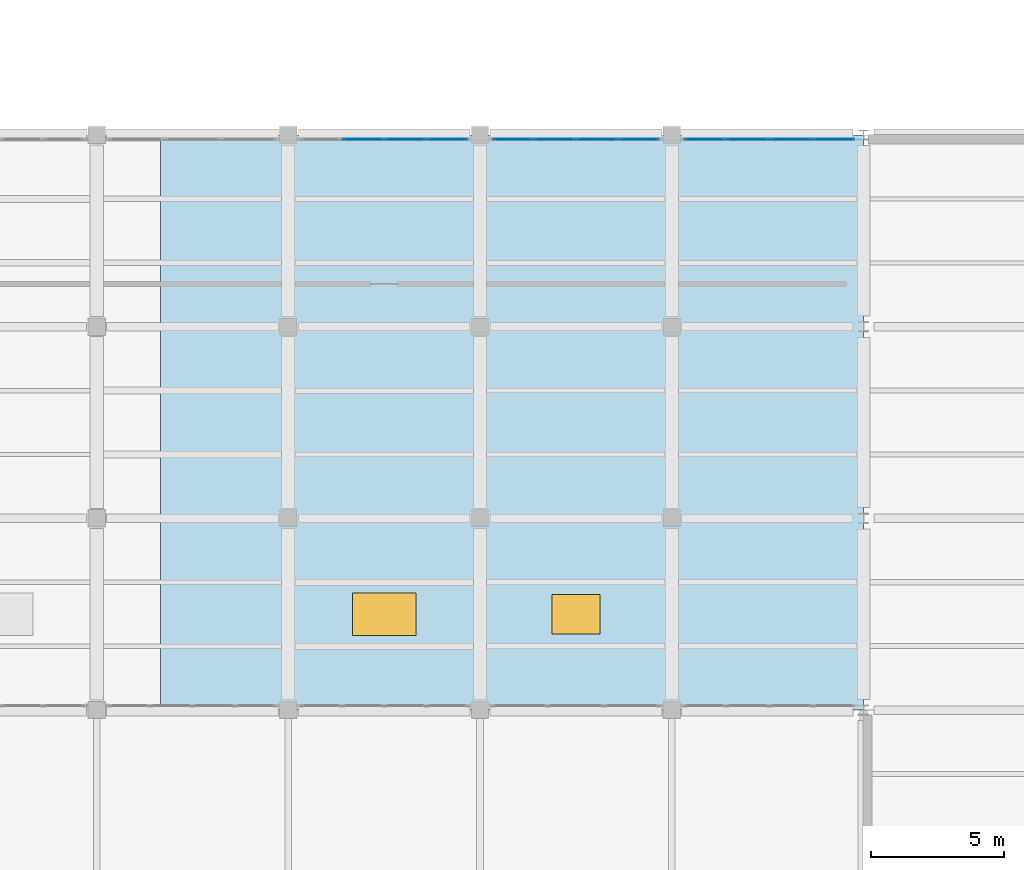
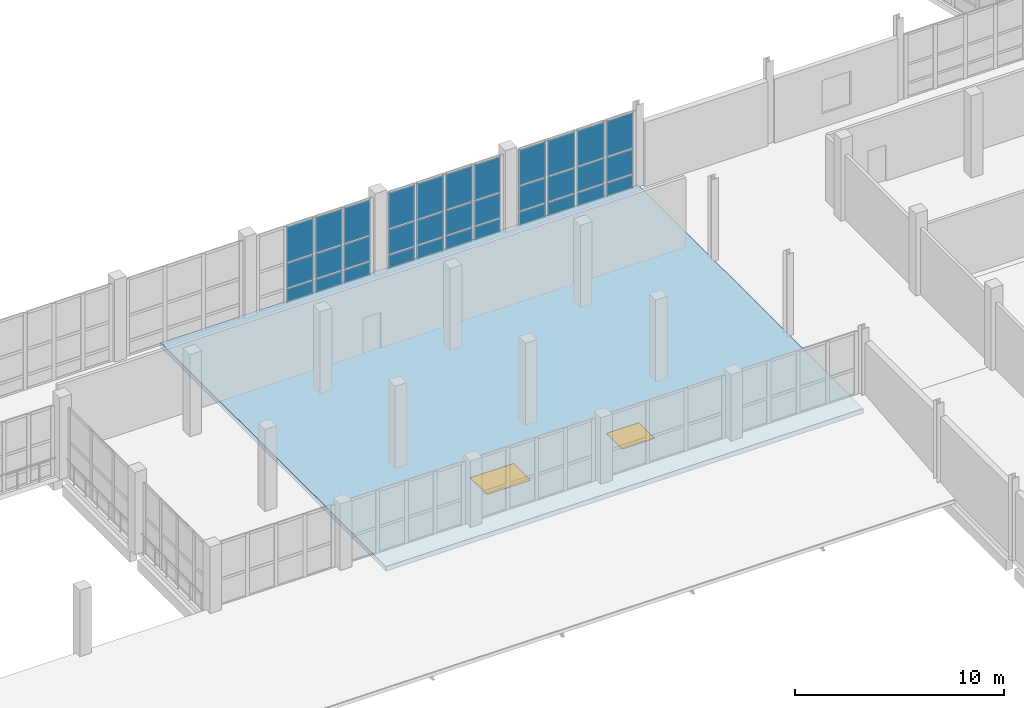
# One storey, part 82 of 127: 33 plates, 2 windows, 1 slab, 2 openings, 3 elements without a shape of their own.
"""IFC4 building model written with IfcOpenShell, lengths in metres."""

from ifc_helpers import new_model, si_unit, direction, frame, origin, origin_2d, place, context, subcontext, project, spatial, polyline, rectangle, outline, extrude, material, layer, layer_set, type_object, element, fill, aggregate, save


model = new_model("IFC4")

# Units and contexts
model_context = context("Model", 3, precision=1e-05, world=origin(), true_north=direction((0.0, 1.0)))
body_context = subcontext(model_context, "Body", "Model", "MODEL_VIEW")
ifc_project = project(units=[si_unit("LENGTHUNIT", "METRE"), si_unit("AREAUNIT", "SQUARE_METRE"), si_unit("VOLUMEUNIT", "CUBIC_METRE"), si_unit("PLANEANGLEUNIT", "RADIAN"), si_unit("MASSUNIT", "GRAM", prefix="KILO")], contexts=[model_context])

# Site, building, storey
site_placement = place(None, origin())
site = spatial("IfcSite", under=ifc_project, at=site_placement, CompositionType="ELEMENT")
building_placement = place(site_placement, origin())
building = spatial("IfcBuilding", under=site, at=building_placement, Name="Kalmorath City Hall", CompositionType="ELEMENT")
storey_placement = place(building_placement, frame((0.0, 0.0, 5.39990234375)))
storey = spatial("IfcBuildingStorey", under=building, at=storey_placement, Name="L01", CompositionType="ELEMENT", Elevation=5.39990234375)

# Slab, openings, windows
ifc_material_1 = material(Name="Concrete C40/50", Category="concrete")
ifc_layer_1 = layer(ifc_material_1, 0.280029296875)
ifc_layer_set_1 = layer_set([ifc_layer_1], Name="Concrete C40/50")
slab_type = type_object("IfcSlabType", Name="Concrete composite floor slab 280", PredefinedType="FLOOR", material=ifc_layer_set_1)
slab_placement = place(storey_placement, frame((0.0, 0.0, -0.27978515625)))
slab = element("IfcSlab", 1, at=slab_placement, inside=storey, type_object=slab_type, Name="L01 Public Hall and Citizens Service Centre Pavilion slab FS2-3", PredefinedType="FLOOR", context=body_context, shape_type="SweptSolid", body=[
    extrude(outline(polyline([(115.199951171875, 43.199951171875), (115.199951171875, 21.60009765625), (88.800048828125, 21.60009765625), (88.800048828125, 43.199951171875), (115.199951171875, 43.199951171875)])), origin(), (0.0, 0.0, 1.0), 0.27978515625),
])
opening_1_placement = place(slab_placement, frame((97.199951171875, 25.199951171875, 0.0)))
opening_1 = element("IfcOpeningElement", 2, at=opening_1_placement, cuts=slab, Name="Opening SK1", PredefinedType="OPENING", context=body_context, shape_type="SweptSolid", body=[
    extrude(rectangle(XDim=2.39990234375, YDim=1.60009765625, at=origin_2d()), origin(), (0.0, 0.0, 1.0), 0.27978515625),
])
opening_2_placement = place(slab_placement, frame((104.39990234375, 25.199951171875, 0.0)))
opening_2 = element("IfcOpeningElement", 3, at=opening_2_placement, cuts=slab, Name="Opening SK3", PredefinedType="OPENING", context=body_context, shape_type="SweptSolid", body=[
    extrude(rectangle(XDim=1.800048828125, YDim=1.5, at=origin_2d()), origin(), (0.0, 0.0, 1.0), 0.27978515625),
])
ifc_material_2 = material(Name="Aluminium and laminated glass", Category="aluminium")
window_type_1 = type_object("IfcWindowType", Name="Committee hall roof skylight 1800x1500", PartitioningType="SINGLE_PANEL", PredefinedType="SKYLIGHT", material=ifc_material_2)
window_1_placement = place(opening_2_placement, frame((0.0, 0.0, 0.229736328125)))
window_1 = element("IfcWindow", 4, at=window_1_placement, inside=storey, type_object=window_type_1, Name="L01 skylight SK3-3", OverallHeight=1.5, OverallWidth=1.800048828125, PartitioningType="SINGLE_PANEL", PredefinedType="SKYLIGHT", context=body_context, shape_type="SweptSolid", body=[
    extrude(rectangle(XDim=1.800048828125, YDim=1.5, at=origin_2d()), origin(), (0.0, 0.0, 1.0), 0.050048828125),
])
fill(opening_2, window_1)
ifc_material_3 = material(Name="Aluminium and laminated glass", Category="aluminium")
window_type_2 = type_object("IfcWindowType", Name="Hurricane laminated roof skylight 2400x1600", PartitioningType="SINGLE_PANEL", PredefinedType="SKYLIGHT", material=ifc_material_3)
window_2_placement = place(opening_1_placement, frame((0.0, 0.0, 0.229736328125)))
window_2 = element("IfcWindow", 5, at=window_2_placement, inside=storey, type_object=window_type_2, Name="L01 skylight SK1-2", OverallHeight=1.60009765625, OverallWidth=2.39990234375, PartitioningType="SINGLE_PANEL", PredefinedType="SKYLIGHT", context=body_context, shape_type="SweptSolid", body=[
    extrude(rectangle(XDim=2.39990234375, YDim=1.60009765625, at=origin_2d()), origin(), (0.0, 0.0, 1.0), 0.050048828125),
])
fill(opening_1, window_2)

# Curtain wall, plates
ifc_material_4 = material(Name="Anodised aluminium and laminated glass", Category="aluminium")
curtain_wall_type_1 = type_object("IfcCurtainWallType", Name="Unitised hurricane curtain wall 6370x4520 M1500", PredefinedType="NOTDEFINED", material=ifc_material_4)
curtain_wall_1_placement = place(storey_placement, origin())
curtain_wall_1 = element("IfcCurtainWall", 6, at=curtain_wall_1_placement, inside=storey, type_object=curtain_wall_type_1, Name="L01 curtain wall CW-64X45M15 #90", PredefinedType="NOTDEFINED")
ifc_material_5 = material(Name="Hurricane laminated low-E glass", Category="glass")
ifc_layer_2 = layer(ifc_material_5, 0.031982421875)
ifc_layer_set_2 = layer_set([ifc_layer_2], Name="Hurricane laminated low-E glass")
plate_type = type_object("IfcPlateType", Name="Hurricane impact double-glazed panel 32", PredefinedType="CURTAIN_PANEL", material=ifc_layer_set_2)
plate_1_placement = place(storey_placement, frame((96.40380859375, 43.0400390625, 0.065185546875), z_axis=(0.0, 0.0, 1.0), x_axis=(1.0, 0.0, 0.0)))
plate_1 = element("IfcPlate", 7, at=plate_1_placement, type_object=plate_type, Name="CW-64X45M15 panel 2.1", PredefinedType="CURTAIN_PANEL", context=body_context, shape_type="SweptSolid", body=[
    extrude(rectangle(XDim=1.517578125, YDim=0.031982421875, at=origin_2d()), origin(), (0.0, 0.0, 1.0), 0.75244140625),
])
plate_2_placement = place(storey_placement, frame((96.40380859375, 43.0400390625, 0.882568359375), z_axis=(0.0, 0.0, 1.0), x_axis=(1.0, 0.0, 0.0)))
plate_2 = element("IfcPlate", 8, at=plate_2_placement, type_object=plate_type, Name="CW-64X45M15 panel 2.2", PredefinedType="CURTAIN_PANEL", context=body_context, shape_type="SweptSolid", body=[
    extrude(rectangle(XDim=1.517578125, YDim=0.031982421875, at=origin_2d()), origin(), (0.0, 0.0, 1.0), 1.43505859375),
])
plate_3_placement = place(storey_placement, frame((96.40380859375, 43.0400390625, 2.3828125), z_axis=(0.0, 0.0, 1.0), x_axis=(1.0, 0.0, 0.0)))
plate_3 = element("IfcPlate", 9, at=plate_3_placement, type_object=plate_type, Name="CW-64X45M15 panel 2.3", PredefinedType="CURTAIN_PANEL", context=body_context, shape_type="SweptSolid", body=[
    extrude(rectangle(XDim=1.517578125, YDim=0.031982421875, at=origin_2d()), origin(), (0.0, 0.0, 1.0), 2.072509765625),
])
plate_4_placement = place(storey_placement, frame((97.996337890625, 43.0400390625, 0.065185546875), z_axis=(0.0, 0.0, 1.0), x_axis=(1.0, 0.0, 0.0)))
plate_4 = element("IfcPlate", 10, at=plate_4_placement, type_object=plate_type, Name="CW-64X45M15 panel 3.1", PredefinedType="CURTAIN_PANEL", context=body_context, shape_type="SweptSolid", body=[
    extrude(rectangle(XDim=1.517578125, YDim=0.031982421875, at=origin_2d()), origin(), (0.0, 0.0, 1.0), 0.75244140625),
])
plate_5_placement = place(storey_placement, frame((97.996337890625, 43.0400390625, 0.882568359375), z_axis=(0.0, 0.0, 1.0), x_axis=(1.0, 0.0, 0.0)))
plate_5 = element("IfcPlate", 11, at=plate_5_placement, type_object=plate_type, Name="CW-64X45M15 panel 3.2", PredefinedType="CURTAIN_PANEL", context=body_context, shape_type="SweptSolid", body=[
    extrude(rectangle(XDim=1.517578125, YDim=0.031982421875, at=origin_2d()), origin(), (0.0, 0.0, 1.0), 1.43505859375),
])
plate_6_placement = place(storey_placement, frame((97.996337890625, 43.0400390625, 2.3828125), z_axis=(0.0, 0.0, 1.0), x_axis=(1.0, 0.0, 0.0)))
plate_6 = element("IfcPlate", 12, at=plate_6_placement, type_object=plate_type, Name="CW-64X45M15 panel 3.3", PredefinedType="CURTAIN_PANEL", context=body_context, shape_type="SweptSolid", body=[
    extrude(rectangle(XDim=1.517578125, YDim=0.031982421875, at=origin_2d()), origin(), (0.0, 0.0, 1.0), 2.072509765625),
])
plate_7_placement = place(storey_placement, frame((99.570068359375, 43.0400390625, 0.065185546875), z_axis=(0.0, 0.0, 1.0), x_axis=(1.0, 0.0, 0.0)))
plate_7 = element("IfcPlate", 13, at=plate_7_placement, type_object=plate_type, Name="CW-64X45M15 panel 4.1", PredefinedType="CURTAIN_PANEL", context=body_context, shape_type="SweptSolid", body=[
    extrude(rectangle(XDim=1.47998046875, YDim=0.031982421875, at=origin_2d()), origin(), (0.0, 0.0, 1.0), 0.75244140625),
])
plate_8_placement = place(storey_placement, frame((99.570068359375, 43.0400390625, 0.882568359375), z_axis=(0.0, 0.0, 1.0), x_axis=(1.0, 0.0, 0.0)))
plate_8 = element("IfcPlate", 14, at=plate_8_placement, type_object=plate_type, Name="CW-64X45M15 panel 4.2", PredefinedType="CURTAIN_PANEL", context=body_context, shape_type="SweptSolid", body=[
    extrude(rectangle(XDim=1.47998046875, YDim=0.031982421875, at=origin_2d()), origin(), (0.0, 0.0, 1.0), 1.43505859375),
])
plate_9_placement = place(storey_placement, frame((99.570068359375, 43.0400390625, 2.3828125), z_axis=(0.0, 0.0, 1.0), x_axis=(1.0, 0.0, 0.0)))
plate_9 = element("IfcPlate", 15, at=plate_9_placement, type_object=plate_type, Name="CW-64X45M15 panel 4.3", PredefinedType="CURTAIN_PANEL", context=body_context, shape_type="SweptSolid", body=[
    extrude(rectangle(XDim=1.47998046875, YDim=0.031982421875, at=origin_2d()), origin(), (0.0, 0.0, 1.0), 2.072509765625),
])
aggregate(curtain_wall_1, [plate_1, plate_2, plate_3, plate_4, plate_5, plate_6, plate_7, plate_8, plate_9])

ifc_material_6 = material(Name="Anodised aluminium and laminated glass", Category="aluminium")
curtain_wall_type_2 = type_object("IfcCurtainWallType", Name="Unitised hurricane curtain wall 6370x4520 M1800", PredefinedType="NOTDEFINED", material=ifc_material_6)
curtain_wall_2_placement = place(storey_placement, origin())
curtain_wall_2 = element("IfcCurtainWall", 16, at=curtain_wall_2_placement, inside=storey, type_object=curtain_wall_type_2, Name="L01 curtain wall CW-64X45M18 #91", PredefinedType="NOTDEFINED")
plate_10_placement = place(storey_placement, frame((102.030029296875, 43.0400390625, 0.065185546875), z_axis=(0.0, 0.0, 1.0), x_axis=(1.0, 0.0, 0.0)))
plate_10 = element("IfcPlate", 17, at=plate_10_placement, type_object=plate_type, Name="CW-64X45M18 panel 1.1", PredefinedType="CURTAIN_PANEL", context=body_context, shape_type="SweptSolid", body=[
    extrude(rectangle(XDim=1.47998046875, YDim=0.031982421875, at=origin_2d()), origin(), (0.0, 0.0, 1.0), 0.75244140625),
])
plate_11_placement = place(storey_placement, frame((102.030029296875, 43.0400390625, 0.882568359375), z_axis=(0.0, 0.0, 1.0), x_axis=(1.0, 0.0, 0.0)))
plate_11 = element("IfcPlate", 18, at=plate_11_placement, type_object=plate_type, Name="CW-64X45M18 panel 1.2", PredefinedType="CURTAIN_PANEL", context=body_context, shape_type="SweptSolid", body=[
    extrude(rectangle(XDim=1.47998046875, YDim=0.031982421875, at=origin_2d()), origin(), (0.0, 0.0, 1.0), 1.43505859375),
])
plate_12_placement = place(storey_placement, frame((102.030029296875, 43.0400390625, 2.3828125), z_axis=(0.0, 0.0, 1.0), x_axis=(1.0, 0.0, 0.0)))
plate_12 = element("IfcPlate", 19, at=plate_12_placement, type_object=plate_type, Name="CW-64X45M18 panel 1.3", PredefinedType="CURTAIN_PANEL", context=body_context, shape_type="SweptSolid", body=[
    extrude(rectangle(XDim=1.47998046875, YDim=0.031982421875, at=origin_2d()), origin(), (0.0, 0.0, 1.0), 2.072509765625),
])
plate_13_placement = place(storey_placement, frame((103.603759765625, 43.0400390625, 0.065185546875), z_axis=(0.0, 0.0, 1.0), x_axis=(1.0, 0.0, 0.0)))
plate_13 = element("IfcPlate", 20, at=plate_13_placement, type_object=plate_type, Name="CW-64X45M18 panel 2.1", PredefinedType="CURTAIN_PANEL", context=body_context, shape_type="SweptSolid", body=[
    extrude(rectangle(XDim=1.517578125, YDim=0.031982421875, at=origin_2d()), origin(), (0.0, 0.0, 1.0), 0.75244140625),
])
plate_14_placement = place(storey_placement, frame((103.603759765625, 43.0400390625, 0.882568359375), z_axis=(0.0, 0.0, 1.0), x_axis=(1.0, 0.0, 0.0)))
plate_14 = element("IfcPlate", 21, at=plate_14_placement, type_object=plate_type, Name="CW-64X45M18 panel 2.2", PredefinedType="CURTAIN_PANEL", context=body_context, shape_type="SweptSolid", body=[
    extrude(rectangle(XDim=1.517578125, YDim=0.031982421875, at=origin_2d()), origin(), (0.0, 0.0, 1.0), 1.43505859375),
])
plate_15_placement = place(storey_placement, frame((103.603759765625, 43.0400390625, 2.3828125), z_axis=(0.0, 0.0, 1.0), x_axis=(1.0, 0.0, 0.0)))
plate_15 = element("IfcPlate", 22, at=plate_15_placement, type_object=plate_type, Name="CW-64X45M18 panel 2.3", PredefinedType="CURTAIN_PANEL", context=body_context, shape_type="SweptSolid", body=[
    extrude(rectangle(XDim=1.517578125, YDim=0.031982421875, at=origin_2d()), origin(), (0.0, 0.0, 1.0), 2.072509765625),
])
plate_16_placement = place(storey_placement, frame((105.1962890625, 43.0400390625, 0.065185546875), z_axis=(0.0, 0.0, 1.0), x_axis=(1.0, 0.0, 0.0)))
plate_16 = element("IfcPlate", 23, at=plate_16_placement, type_object=plate_type, Name="CW-64X45M18 panel 3.1", PredefinedType="CURTAIN_PANEL", context=body_context, shape_type="SweptSolid", body=[
    extrude(rectangle(XDim=1.517578125, YDim=0.031982421875, at=origin_2d()), origin(), (0.0, 0.0, 1.0), 0.75244140625),
])
plate_17_placement = place(storey_placement, frame((105.1962890625, 43.0400390625, 0.882568359375), z_axis=(0.0, 0.0, 1.0), x_axis=(1.0, 0.0, 0.0)))
plate_17 = element("IfcPlate", 24, at=plate_17_placement, type_object=plate_type, Name="CW-64X45M18 panel 3.2", PredefinedType="CURTAIN_PANEL", context=body_context, shape_type="SweptSolid", body=[
    extrude(rectangle(XDim=1.517578125, YDim=0.031982421875, at=origin_2d()), origin(), (0.0, 0.0, 1.0), 1.43505859375),
])
plate_18_placement = place(storey_placement, frame((105.1962890625, 43.0400390625, 2.3828125), z_axis=(0.0, 0.0, 1.0), x_axis=(1.0, 0.0, 0.0)))
plate_18 = element("IfcPlate", 25, at=plate_18_placement, type_object=plate_type, Name="CW-64X45M18 panel 3.3", PredefinedType="CURTAIN_PANEL", context=body_context, shape_type="SweptSolid", body=[
    extrude(rectangle(XDim=1.517578125, YDim=0.031982421875, at=origin_2d()), origin(), (0.0, 0.0, 1.0), 2.072509765625),
])
plate_19_placement = place(storey_placement, frame((106.77001953125, 43.0400390625, 0.065185546875), z_axis=(0.0, 0.0, 1.0), x_axis=(1.0, 0.0, 0.0)))
plate_19 = element("IfcPlate", 26, at=plate_19_placement, type_object=plate_type, Name="CW-64X45M18 panel 4.1", PredefinedType="CURTAIN_PANEL", context=body_context, shape_type="SweptSolid", body=[
    extrude(rectangle(XDim=1.47998046875, YDim=0.031982421875, at=origin_2d()), origin(), (0.0, 0.0, 1.0), 0.75244140625),
])
plate_20_placement = place(storey_placement, frame((106.77001953125, 43.0400390625, 0.882568359375), z_axis=(0.0, 0.0, 1.0), x_axis=(1.0, 0.0, 0.0)))
plate_20 = element("IfcPlate", 27, at=plate_20_placement, type_object=plate_type, Name="CW-64X45M18 panel 4.2", PredefinedType="CURTAIN_PANEL", context=body_context, shape_type="SweptSolid", body=[
    extrude(rectangle(XDim=1.47998046875, YDim=0.031982421875, at=origin_2d()), origin(), (0.0, 0.0, 1.0), 1.43505859375),
])
plate_21_placement = place(storey_placement, frame((106.77001953125, 43.0400390625, 2.3828125), z_axis=(0.0, 0.0, 1.0), x_axis=(1.0, 0.0, 0.0)))
plate_21 = element("IfcPlate", 28, at=plate_21_placement, type_object=plate_type, Name="CW-64X45M18 panel 4.3", PredefinedType="CURTAIN_PANEL", context=body_context, shape_type="SweptSolid", body=[
    extrude(rectangle(XDim=1.47998046875, YDim=0.031982421875, at=origin_2d()), origin(), (0.0, 0.0, 1.0), 2.072509765625),
])
aggregate(curtain_wall_2, [plate_10, plate_11, plate_12, plate_13, plate_14, plate_15, plate_16, plate_17, plate_18, plate_19, plate_20, plate_21])

ifc_material_7 = material(Name="Anodised aluminium and laminated glass", Category="aluminium")
curtain_wall_type_3 = type_object("IfcCurtainWallType", Name="Unitised hurricane curtain wall 6508x4520 M1500", PredefinedType="NOTDEFINED", material=ifc_material_7)
curtain_wall_3_placement = place(storey_placement, origin())
curtain_wall_3 = element("IfcCurtainWall", 29, at=curtain_wall_3_placement, inside=storey, type_object=curtain_wall_type_3, Name="L01 curtain wall CW-65X45M15 #92", PredefinedType="NOTDEFINED")
plate_22_placement = place(storey_placement, frame((109.247314453125, 43.0400390625, 0.065185546875), z_axis=(0.0, 0.0, 1.0), x_axis=(1.0, 0.0, 0.0)))
plate_22 = element("IfcPlate", 30, at=plate_22_placement, type_object=plate_type, Name="CW-65X45M15 panel 1.1", PredefinedType="CURTAIN_PANEL", context=body_context, shape_type="SweptSolid", body=[
    extrude(rectangle(XDim=1.514404296875, YDim=0.031982421875, at=origin_2d()), origin(), (0.0, 0.0, 1.0), 0.75244140625),
])
plate_23_placement = place(storey_placement, frame((109.247314453125, 43.0400390625, 0.882568359375), z_axis=(0.0, 0.0, 1.0), x_axis=(1.0, 0.0, 0.0)))
plate_23 = element("IfcPlate", 31, at=plate_23_placement, type_object=plate_type, Name="CW-65X45M15 panel 1.2", PredefinedType="CURTAIN_PANEL", context=body_context, shape_type="SweptSolid", body=[
    extrude(rectangle(XDim=1.514404296875, YDim=0.031982421875, at=origin_2d()), origin(), (0.0, 0.0, 1.0), 1.43505859375),
])
plate_24_placement = place(storey_placement, frame((109.247314453125, 43.0400390625, 2.3828125), z_axis=(0.0, 0.0, 1.0), x_axis=(1.0, 0.0, 0.0)))
plate_24 = element("IfcPlate", 32, at=plate_24_placement, type_object=plate_type, Name="CW-65X45M15 panel 1.3", PredefinedType="CURTAIN_PANEL", context=body_context, shape_type="SweptSolid", body=[
    extrude(rectangle(XDim=1.514404296875, YDim=0.031982421875, at=origin_2d()), origin(), (0.0, 0.0, 1.0), 2.072509765625),
])
plate_25_placement = place(storey_placement, frame((110.85546875, 43.0400390625, 0.065185546875), z_axis=(0.0, 0.0, 1.0), x_axis=(1.0, 0.0, 0.0)))
plate_25 = element("IfcPlate", 33, at=plate_25_placement, type_object=plate_type, Name="CW-65X45M15 panel 2.1", PredefinedType="CURTAIN_PANEL", context=body_context, shape_type="SweptSolid", body=[
    extrude(rectangle(XDim=1.552001953125, YDim=0.031982421875, at=origin_2d()), origin(), (0.0, 0.0, 1.0), 0.75244140625),
])
plate_26_placement = place(storey_placement, frame((110.85546875, 43.0400390625, 0.882568359375), z_axis=(0.0, 0.0, 1.0), x_axis=(1.0, 0.0, 0.0)))
plate_26 = element("IfcPlate", 34, at=plate_26_placement, type_object=plate_type, Name="CW-65X45M15 panel 2.2", PredefinedType="CURTAIN_PANEL", context=body_context, shape_type="SweptSolid", body=[
    extrude(rectangle(XDim=1.552001953125, YDim=0.031982421875, at=origin_2d()), origin(), (0.0, 0.0, 1.0), 1.43505859375),
])
plate_27_placement = place(storey_placement, frame((110.85546875, 43.0400390625, 2.3828125), z_axis=(0.0, 0.0, 1.0), x_axis=(1.0, 0.0, 0.0)))
plate_27 = element("IfcPlate", 35, at=plate_27_placement, type_object=plate_type, Name="CW-65X45M15 panel 2.3", PredefinedType="CURTAIN_PANEL", context=body_context, shape_type="SweptSolid", body=[
    extrude(rectangle(XDim=1.552001953125, YDim=0.031982421875, at=origin_2d()), origin(), (0.0, 0.0, 1.0), 2.072509765625),
])
plate_28_placement = place(storey_placement, frame((112.482421875, 43.0400390625, 0.065185546875), z_axis=(0.0, 0.0, 1.0), x_axis=(1.0, 0.0, 0.0)))
plate_28 = element("IfcPlate", 36, at=plate_28_placement, type_object=plate_type, Name="CW-65X45M15 panel 3.1", PredefinedType="CURTAIN_PANEL", context=body_context, shape_type="SweptSolid", body=[
    extrude(rectangle(XDim=1.552001953125, YDim=0.031982421875, at=origin_2d()), origin(), (0.0, 0.0, 1.0), 0.75244140625),
])
plate_29_placement = place(storey_placement, frame((112.482421875, 43.0400390625, 0.882568359375), z_axis=(0.0, 0.0, 1.0), x_axis=(1.0, 0.0, 0.0)))
plate_29 = element("IfcPlate", 37, at=plate_29_placement, type_object=plate_type, Name="CW-65X45M15 panel 3.2", PredefinedType="CURTAIN_PANEL", context=body_context, shape_type="SweptSolid", body=[
    extrude(rectangle(XDim=1.552001953125, YDim=0.031982421875, at=origin_2d()), origin(), (0.0, 0.0, 1.0), 1.43505859375),
])
plate_30_placement = place(storey_placement, frame((112.482421875, 43.0400390625, 2.3828125), z_axis=(0.0, 0.0, 1.0), x_axis=(1.0, 0.0, 0.0)))
plate_30 = element("IfcPlate", 38, at=plate_30_placement, type_object=plate_type, Name="CW-65X45M15 panel 3.3", PredefinedType="CURTAIN_PANEL", context=body_context, shape_type="SweptSolid", body=[
    extrude(rectangle(XDim=1.552001953125, YDim=0.031982421875, at=origin_2d()), origin(), (0.0, 0.0, 1.0), 2.072509765625),
])
plate_31_placement = place(storey_placement, frame((114.0908203125, 43.0400390625, 0.065185546875), z_axis=(0.0, 0.0, 1.0), x_axis=(1.0, 0.0, 0.0)))
plate_31 = element("IfcPlate", 39, at=plate_31_placement, type_object=plate_type, Name="CW-65X45M15 panel 4.1", PredefinedType="CURTAIN_PANEL", context=body_context, shape_type="SweptSolid", body=[
    extrude(rectangle(XDim=1.514404296875, YDim=0.031982421875, at=origin_2d()), origin(), (0.0, 0.0, 1.0), 0.75244140625),
])
plate_32_placement = place(storey_placement, frame((114.0908203125, 43.0400390625, 0.882568359375), z_axis=(0.0, 0.0, 1.0), x_axis=(1.0, 0.0, 0.0)))
plate_32 = element("IfcPlate", 40, at=plate_32_placement, type_object=plate_type, Name="CW-65X45M15 panel 4.2", PredefinedType="CURTAIN_PANEL", context=body_context, shape_type="SweptSolid", body=[
    extrude(rectangle(XDim=1.514404296875, YDim=0.031982421875, at=origin_2d()), origin(), (0.0, 0.0, 1.0), 1.43505859375),
])
plate_33_placement = place(storey_placement, frame((114.0908203125, 43.0400390625, 2.3828125), z_axis=(0.0, 0.0, 1.0), x_axis=(1.0, 0.0, 0.0)))
plate_33 = element("IfcPlate", 41, at=plate_33_placement, type_object=plate_type, Name="CW-65X45M15 panel 4.3", PredefinedType="CURTAIN_PANEL", context=body_context, shape_type="SweptSolid", body=[
    extrude(rectangle(XDim=1.514404296875, YDim=0.031982421875, at=origin_2d()), origin(), (0.0, 0.0, 1.0), 2.072509765625),
])
aggregate(curtain_wall_3, [plate_22, plate_23, plate_24, plate_25, plate_26, plate_27, plate_28, plate_29, plate_30, plate_31, plate_32, plate_33])

save(model, "model.ifc")
